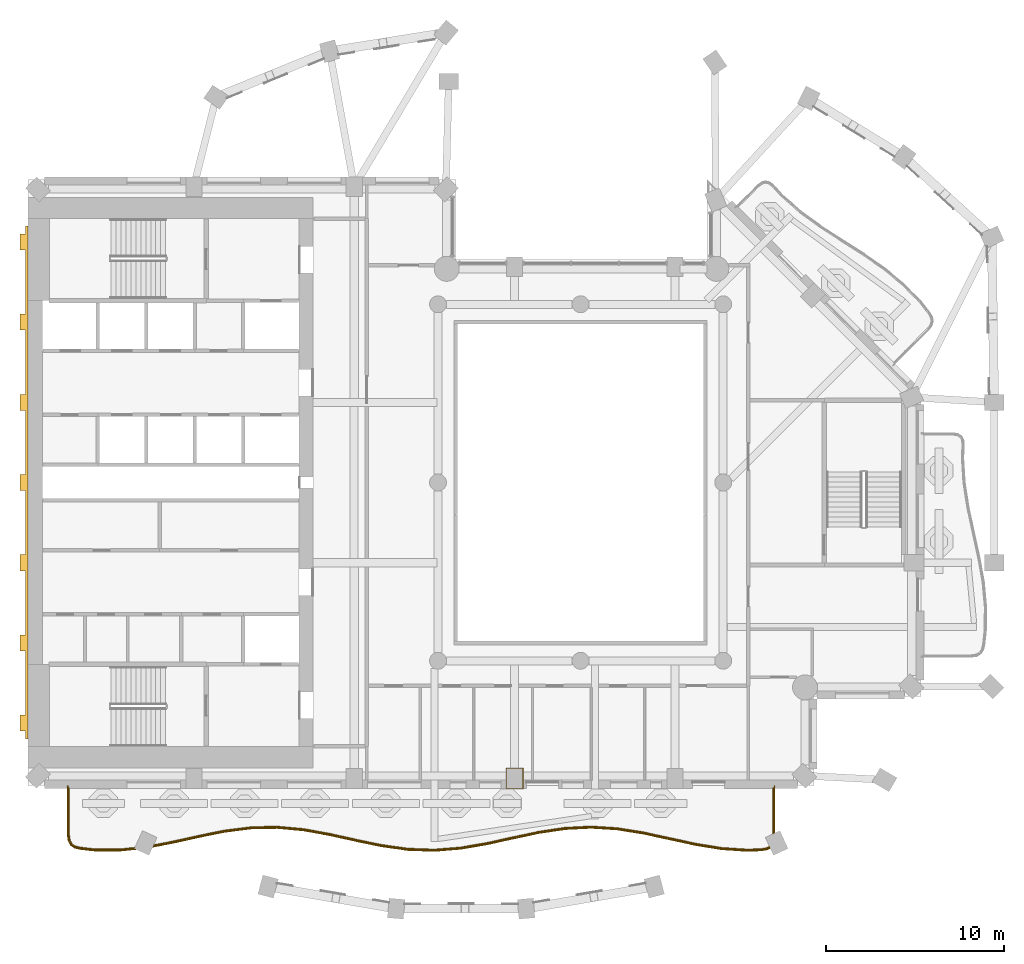
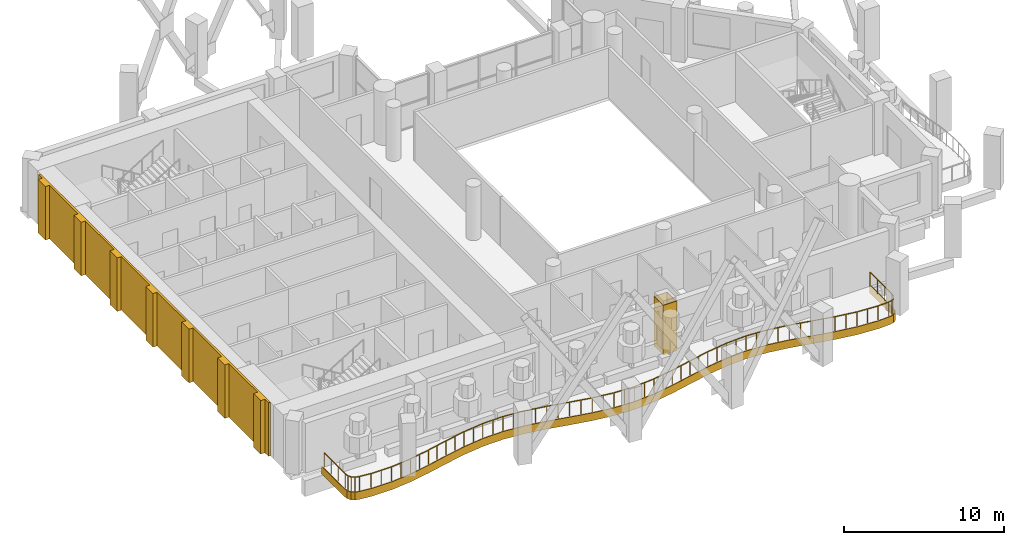
# One storey, part 12 of 16: 3 coverings, 1 railing.
"""IFC4 building model written with IfcOpenShell, lengths in metres."""

from ifc_helpers import new_model, si_unit, direction, frame, origin, origin_2d, place, context, subcontext, project, spatial, polyline, rectangle, outline, extrude, material, layer, layer_set, type_object, element, save


model = new_model("IFC4")

# Units and contexts
model_context = context("Model", 3, precision=1e-05, world=origin(), true_north=direction((0.0, 1.0)))
body_context = subcontext(model_context, "Body", "Model", "MODEL_VIEW")
ifc_project = project(units=[si_unit("LENGTHUNIT", "METRE"), si_unit("AREAUNIT", "SQUARE_METRE"), si_unit("VOLUMEUNIT", "CUBIC_METRE"), si_unit("PLANEANGLEUNIT", "RADIAN"), si_unit("MASSUNIT", "GRAM", prefix="KILO")], contexts=[model_context])

# Site, building, storey
site_placement = place(None, origin())
site = spatial("IfcSite", under=ifc_project, at=site_placement, CompositionType="ELEMENT")
building_placement = place(site_placement, origin())
building = spatial("IfcBuilding", under=site, at=building_placement, Name="Cypress Arch Tower", CompositionType="ELEMENT")
storey_placement = place(building_placement, frame((0.0, 0.0, 168.699951171875)))
storey = spatial("IfcBuildingStorey", under=building, at=storey_placement, Name="L36", CompositionType="ELEMENT", Elevation=168.699951171875)

# Covering
ifc_material_1 = material(Name="White powder-coated aluminium fascia", Category="aluminium")
ifc_layer_1 = layer(ifc_material_1, 0.050048828125)
ifc_layer_set_1 = layer_set([ifc_layer_1], Name="Balcony fascia BF50")
covering_type_1 = type_object("IfcCoveringType", Name="Balcony fascia BF50", PredefinedType="CLADDING", material=ifc_layer_set_1)
covering_1_placement = place(storey_placement, frame((0.0, 0.0, -0.599853515625)))
element("IfcCovering", 1, at=covering_1_placement, inside=storey, type_object=covering_type_1, Name="Balcony fascia L36-B01", PredefinedType="CLADDING", context=body_context, shape_type="SweptSolid", body=[
    extrude(outline(polyline([(11.89990234375, -19.9189453125), (11.85693359375, -20.22314453125), (11.72216796875, -20.454345703125), (11.497802734375, -20.599853515625), (11.19580078125, -20.657470703125), (10.3828125, -20.696533203125), (8.9111328125, -20.599853515625), (7.440673828125, -20.361328125), (5.97265625, -20.0419921875), (4.50732421875, -19.724365234375), (3.04443359375, -19.489501953125), (1.5830078125, -19.397216796875), (0.12158203125, -19.47119140625), (-1.341064453125, -19.692138671875), (-2.80615234375, -20.004150390625), (-4.273681640625, -20.32763671875), (-5.743896484375, -20.5791015625), (-7.215576171875, -20.69384765625), (-8.687744140625, -20.64208984375), (-10.158447265625, -20.4375), (-11.627197265625, -20.132568359375), (-13.09326171875, -19.805908203125), (-14.556640625, -19.54150390625), (-16.0185546875, -19.40625), (-17.479736328125, -19.434814453125), (-18.94189453125, -19.619873046875), (-20.40625, -19.91455078125), (-21.873291015625, -20.2431640625), (-23.3427734375, -20.52197265625), (-24.814208984375, -20.678466796875), (-26.286376953125, -20.6728515625), (-27.09912109375, -20.58056640625), (-27.400390625, -20.503173828125), (-27.623291015625, -20.34326171875), (-27.757080078125, -20.103759765625), (-27.800048828125, -19.7958984375), (-27.800048828125, -17.0009765625), (-27.75, -17.0009765625), (-27.75, -19.79248046875), (-27.708740234375, -20.087646484375), (-27.5849609375, -20.309326171875), (-27.378662109375, -20.45703125), (-27.090087890625, -20.531494140625), (-26.283447265625, -20.622802734375), (-24.816650390625, -20.628662109375), (-23.35009765625, -20.472412109375), (-21.88330078125, -20.1943359375), (-20.416748046875, -19.865478515625), (-18.949951171875, -19.570556640625), (-17.4833984375, -19.384765625), (-16.0166015625, -19.356201171875), (-14.550048828125, -19.491943359375), (-13.083251953125, -19.757080078125), (-11.61669921875, -20.083740234375), (-10.14990234375, -20.38818359375), (-8.683349609375, -20.59228515625), (-7.216552734375, -20.643798828125), (-5.75, -20.529296875), (-4.283447265625, -20.278564453125), (-2.816650390625, -19.955322265625), (-1.35009765625, -19.64306640625), (0.11669921875, -19.42138671875), (1.583251953125, -19.34716796875), (3.050048828125, -19.439697265625), (4.5166015625, -19.67529296875), (5.9833984375, -19.9931640625), (7.449951171875, -20.31201171875), (8.916748046875, -20.55029296875), (10.38330078125, -20.646484375), (11.18994140625, -20.607666015625), (11.478759765625, -20.552734375), (11.68505859375, -20.4189453125), (11.808837890625, -20.20654296875), (11.85009765625, -19.915283203125), (11.85009765625, -17.0009765625), (11.89990234375, -17.0009765625), (11.89990234375, -19.9189453125)])), origin(), (0.0, 0.0, 1.0), 0.599853515625),
])

# Railing
ifc_material_2 = material(Name="Powder-coated steel posts and rods, 100 mm clear between rods", Category="steel")
railing_type = type_object("IfcRailingType", Name="Balcony guard GR1100", PredefinedType="GUARDRAIL", material=ifc_material_2)
railing_placement = place(storey_placement, frame((11.800048828125, -17.14990234375, 0.0)))
element("IfcRailing", 2, at=railing_placement, inside=storey, type_object=railing_type, Name="Balcony guard L36-B01", PredefinedType="GUARDRAIL", context=body_context, shape_type="SweptSolid", body=[
    extrude(rectangle(XDim=0.050048828125, YDim=0.050048828125, at=origin_2d()), frame((0.0, 0.0, 1.0751953125), z_axis=(0.0, -1.0, 0.0), x_axis=(1.0, 0.0, 0.0)), (0.0, 0.0, 1.0), 2.761962890625),
    extrude(rectangle(XDim=0.050048828125, YDim=0.050048828125, at=origin_2d()), frame((0.0, -2.761962890625, 1.0751953125), z_axis=(-0.140934159302, -0.9900189709, 0.0), x_axis=(0.9900189709, -0.140934159302, 0.0)), (0.0, 0.0, 1.0), 0.280517578125),
    extrude(rectangle(XDim=0.050048828125, YDim=0.050048828125, at=origin_2d()), frame((-0.03955078125, -3.039794921875, 1.0751953125), z_axis=(-0.503396718103, -0.864055405748, 0.0), x_axis=(0.864055405748, -0.503396718103, 0.0)), (0.0, 0.0, 1.0), 0.22412109375),
    extrude(rectangle(XDim=0.050048828125, YDim=0.050048828125, at=origin_2d()), frame((-0.15234375, -3.2333984375, 1.0751953125), z_axis=(-0.838692381994, -0.544605442853, 0.0), x_axis=(0.544605442853, -0.838692381994, 0.0)), (0.0, 0.0, 1.0), 0.22412109375),
    extrude(rectangle(XDim=0.050048828125, YDim=0.050048828125, at=origin_2d()), frame((-0.34033203125, -3.35546875, 1.0751953125), z_axis=(-0.982185950292, -0.187911572421, 0.0), x_axis=(0.187911572421, -0.982185950292, 0.0)), (0.0, 0.0, 1.0), 0.280517578125),
    extrude(rectangle(XDim=0.050048828125, YDim=0.050048828125, at=origin_2d()), frame((-0.615966796875, -3.408203125, 1.0751953125), z_axis=(-0.998855001251, -0.047840218181, 0.0), x_axis=(0.047840218181, -0.998855001251, 0.0)), (0.0, 0.0, 1.0), 0.80126953125),
    extrude(rectangle(XDim=0.050048828125, YDim=0.050048828125, at=origin_2d()), frame((-1.416259765625, -3.446533203125, 1.0751953125), z_axis=(-0.99785177148, 0.065512152722, 0.0), x_axis=(-0.065512152722, -0.99785177148, 0.0)), (0.0, 0.0, 1.0), 1.464599609375),
    extrude(rectangle(XDim=0.050048828125, YDim=0.050048828125, at=origin_2d()), frame((-2.877685546875, -3.3505859375, 1.0751953125), z_axis=(-0.987075215423, 0.16025766471, 0.0), x_axis=(-0.16025766471, -0.987075215423, 0.0)), (0.0, 0.0, 1.0), 1.482177734375),
    extrude(rectangle(XDim=0.050048828125, YDim=0.050048828125, at=origin_2d()), frame((-4.3408203125, -3.113037109375, 1.0751953125), z_axis=(-0.977169016442, 0.212463439929, 0.0), x_axis=(-0.212463439929, -0.977169016442, 0.0)), (0.0, 0.0, 1.0), 1.49951171875),
    extrude(rectangle(XDim=0.050048828125, YDim=0.050048828125, at=origin_2d()), frame((-5.80615234375, -2.79443359375, 1.0751953125), z_axis=(-0.977283320767, 0.211937044783, 0.0), x_axis=(-0.211937044783, -0.977283320767, 0.0)), (0.0, 0.0, 1.0), 1.502197265625),
    extrude(rectangle(XDim=0.050048828125, YDim=0.050048828125, at=origin_2d()), frame((-7.274169921875, -2.47607421875, 1.0751953125), z_axis=(-0.987377116296, 0.158386963524, 0.0), x_axis=(-0.158386963524, -0.987377116296, 0.0)), (0.0, 0.0, 1.0), 1.489013671875),
    extrude(rectangle(XDim=0.050048828125, YDim=0.050048828125, at=origin_2d()), frame((-8.744384765625, -2.240234375, 1.0751953125), z_axis=(-0.998009184655, 0.063068750929, 0.0), x_axis=(-0.063068750929, -0.998009184655, 0.0)), (0.0, 0.0, 1.0), 1.474853515625),
    extrude(rectangle(XDim=0.050048828125, YDim=0.050048828125, at=origin_2d()), frame((-10.21630859375, -2.147216796875, 1.0751953125), z_axis=(-0.99872325926, -0.05051585308, 0.0), x_axis=(0.05051585308, -0.99872325926, 0.0)), (0.0, 0.0, 1.0), 1.47412109375),
    extrude(rectangle(XDim=0.050048828125, YDim=0.050048828125, at=origin_2d()), frame((-11.6884765625, -2.2216796875, 1.0751953125), z_axis=(-0.988778048864, -0.149392001406, 0.0), x_axis=(0.149392001406, -0.988778048864, 0.0)), (0.0, 0.0, 1.0), 1.487060546875),
    extrude(rectangle(XDim=0.050048828125, YDim=0.050048828125, at=origin_2d()), frame((-13.158935546875, -2.44384765625, 1.0751953125), z_axis=(-0.978058713578, -0.208329433338, 0.0), x_axis=(0.208329433338, -0.978058713578, 0.0)), (0.0, 0.0, 1.0), 1.501220703125),
    extrude(rectangle(XDim=0.050048828125, YDim=0.050048828125, at=origin_2d()), frame((-14.627197265625, -2.756591796875, 1.0751953125), z_axis=(-0.976572051892, -0.215190676991, 0.0), x_axis=(0.215190676991, -0.976572051892, 0.0)), (0.0, 0.0, 1.0), 1.5009765625),
    extrude(rectangle(XDim=0.050048828125, YDim=0.050048828125, at=origin_2d()), frame((-16.093017578125, -3.07958984375, 1.0751953125), z_axis=(-0.985687136457, -0.16858490153, 0.0), x_axis=(0.16858490153, -0.985687136457, 0.0)), (0.0, 0.0, 1.0), 1.484375),
    extrude(rectangle(XDim=0.050048828125, YDim=0.050048828125, at=origin_2d()), frame((-17.55615234375, -3.329833984375, 1.0751953125), z_axis=(-0.996971629898, -0.07776611845, 0.0), x_axis=(0.07776611845, -0.996971629898, 0.0)), (0.0, 0.0, 1.0), 1.466064453125),
    extrude(rectangle(XDim=0.050048828125, YDim=0.050048828125, at=origin_2d()), frame((-19.017822265625, -3.44384765625, 1.0751953125), z_axis=(-0.999384993792, 0.035066140133, 0.0), x_axis=(-0.035066140133, -0.999384993792, 0.0)), (0.0, 0.0, 1.0), 1.462158203125),
    extrude(rectangle(XDim=0.050048828125, YDim=0.050048828125, at=origin_2d()), frame((-20.47900390625, -3.392578125, 1.0751953125), z_axis=(-0.990445904056, 0.137901817025, 0.0), x_axis=(-0.137901817025, -0.990445904056, 0.0)), (0.0, 0.0, 1.0), 1.4765625),
    extrude(rectangle(XDim=0.050048828125, YDim=0.050048828125, at=origin_2d()), frame((-21.94140625, -3.18896484375, 1.0751953125), z_axis=(-0.979143026375, 0.203172177973, 0.0), x_axis=(-0.203172177973, -0.979143026375, 0.0)), (0.0, 0.0, 1.0), 1.49609375),
    extrude(rectangle(XDim=0.050048828125, YDim=0.050048828125, at=origin_2d()), frame((-23.40625, -2.885009765625, 1.0751953125), z_axis=(-0.976068452766, 0.217463503869, 0.0), x_axis=(-0.217463503869, -0.976068452766, 0.0)), (0.0, 0.0, 1.0), 1.503173828125),
    extrude(rectangle(XDim=0.050048828125, YDim=0.050048828125, at=origin_2d()), frame((-24.87353515625, -2.55810546875, 1.0751953125), z_axis=(-0.984029055763, 0.178007913908, 0.0), x_axis=(-0.178007913908, -0.984029055763, 0.0)), (0.0, 0.0, 1.0), 1.49365234375),
    extrude(rectangle(XDim=0.050048828125, YDim=0.050048828125, at=origin_2d()), frame((-26.34326171875, -2.292236328125, 1.0751953125), z_axis=(-0.995758068243, 0.092010159922, 0.0), x_axis=(-0.092010159922, -0.995758068243, 0.0)), (0.0, 0.0, 1.0), 1.47802734375),
    extrude(rectangle(XDim=0.050048828125, YDim=0.050048828125, at=origin_2d()), frame((-27.81494140625, -2.15625, 1.0751953125), z_axis=(-0.999808585565, -0.019565076799, 0.0), x_axis=(0.019565076799, -0.999808585565, 0.0)), (0.0, 0.0, 1.0), 1.472412109375),
    extrude(rectangle(XDim=0.050048828125, YDim=0.050048828125, at=origin_2d()), frame((-29.287109375, -2.18505859375, 1.0751953125), z_axis=(-0.992076459913, -0.125635574923, 0.0), x_axis=(0.125635574923, -0.992076459913, 0.0)), (0.0, 0.0, 1.0), 1.482666015625),
    extrude(rectangle(XDim=0.050048828125, YDim=0.050048828125, at=origin_2d()), frame((-30.758056640625, -2.371337890625, 1.0751953125), z_axis=(-0.980373329792, -0.197150029757, 0.0), x_axis=(0.197150029757, -0.980373329792, 0.0)), (0.0, 0.0, 1.0), 1.498291015625),
    extrude(rectangle(XDim=0.050048828125, YDim=0.050048828125, at=origin_2d()), frame((-32.22705078125, -2.666748046875, 1.0751953125), z_axis=(-0.975803322857, -0.218650120287, 0.0), x_axis=(0.218650120287, -0.975803322857, 0.0)), (0.0, 0.0, 1.0), 1.5029296875),
    extrude(rectangle(XDim=0.050048828125, YDim=0.050048828125, at=origin_2d()), frame((-33.693603515625, -2.995361328125, 1.0751953125), z_axis=(-0.982491695912, -0.186306380629, 0.0), x_axis=(0.186306380629, -0.982491695912, 0.0)), (0.0, 0.0, 1.0), 1.489990234375),
    extrude(rectangle(XDim=0.050048828125, YDim=0.050048828125, at=origin_2d()), frame((-35.157470703125, -3.27294921875, 1.0751953125), z_axis=(-0.994371803517, -0.105946761965, 0.0), x_axis=(0.105946761965, -0.994371803517, 0.0)), (0.0, 0.0, 1.0), 1.47021484375),
    extrude(rectangle(XDim=0.050048828125, YDim=0.050048828125, at=origin_2d()), frame((-36.619384765625, -3.4287109375, 1.0751953125), z_axis=(-0.999991959946, 0.004009992822, 0.0), x_axis=(-0.004009992822, -0.999991959946, 0.0)), (0.0, 0.0, 1.0), 1.461181640625),
    extrude(rectangle(XDim=0.050048828125, YDim=0.050048828125, at=origin_2d()), frame((-38.08056640625, -3.4228515625, 1.0751953125), z_axis=(-0.993656164351, 0.112460780041, 0.0), x_axis=(-0.112460780041, -0.993656164351, 0.0)), (0.0, 0.0, 1.0), 0.805419921875),
    extrude(rectangle(XDim=0.050048828125, YDim=0.050048828125, at=origin_2d()), frame((-38.880859375, -3.332275390625, 1.0751953125), z_axis=(-0.968510618147, 0.248972252545, 0.0), x_axis=(-0.248972252545, -0.968510618147, 0.0)), (0.0, 0.0, 1.0), 0.285400390625),
    extrude(rectangle(XDim=0.050048828125, YDim=0.050048828125, at=origin_2d()), frame((-39.1572265625, -3.26123046875, 1.0751953125), z_axis=(-0.812742831661, 0.582622596184, 0.0), x_axis=(-0.582622596184, -0.812742831661, 0.0)), (0.0, 0.0, 1.0), 0.2333984375),
    extrude(rectangle(XDim=0.050048828125, YDim=0.050048828125, at=origin_2d()), frame((-39.346923828125, -3.125244140625, 1.0751953125), z_axis=(-0.487774437128, 0.872969700783, 0.0), x_axis=(-0.872969700783, -0.487774437128, 0.0)), (0.0, 0.0, 1.0), 0.233154296875),
    extrude(rectangle(XDim=0.050048828125, YDim=0.050048828125, at=origin_2d()), frame((-39.460693359375, -2.921630859375, 1.0751953125), z_axis=(-0.137708227141, 0.990472838688, 0.0), x_axis=(-0.990472838688, -0.137708227141, 0.0)), (0.0, 0.0, 1.0), 0.285400390625),
    extrude(rectangle(XDim=0.050048828125, YDim=0.050048828125, at=origin_2d()), frame((-39.5, -2.638916015625, 1.0751953125), z_axis=(0.0, 1.0, 0.0), x_axis=(-1.0, 0.0, 0.0)), (0.0, 0.0, 1.0), 2.638916015625),
    extrude(rectangle(XDim=0.0400390625, YDim=0.0400390625, at=origin_2d()), origin(), (0.0, 0.0, 1.0), 1.050048828125),
    extrude(rectangle(XDim=0.0400390625, YDim=0.0400390625, at=origin_2d()), frame((0.0, -0.920654296875, 0.0)), (0.0, 0.0, 1.0), 1.050048828125),
    extrude(rectangle(XDim=0.0400390625, YDim=0.0400390625, at=origin_2d()), frame((0.0, -1.84130859375, 0.0)), (0.0, 0.0, 1.0), 1.050048828125),
    extrude(rectangle(XDim=0.0400390625, YDim=0.0400390625, at=origin_2d()), frame((0.0, -2.761962890625, 0.0)), (0.0, 0.0, 1.0), 1.050048828125),
    extrude(rectangle(XDim=0.0400390625, YDim=0.0400390625, at=origin_2d()), frame((-0.03955078125, -3.039794921875, 0.0)), (0.0, 0.0, 1.0), 1.050048828125),
    extrude(rectangle(XDim=0.0400390625, YDim=0.0400390625, at=origin_2d()), frame((-0.15234375, -3.2333984375, 0.0)), (0.0, 0.0, 1.0), 1.050048828125),
    extrude(rectangle(XDim=0.0400390625, YDim=0.0400390625, at=origin_2d()), frame((-0.34033203125, -3.35546875, 0.0)), (0.0, 0.0, 1.0), 1.050048828125),
    extrude(rectangle(XDim=0.0400390625, YDim=0.0400390625, at=origin_2d()), frame((-0.615966796875, -3.408203125, 0.0)), (0.0, 0.0, 1.0), 1.050048828125),
    extrude(rectangle(XDim=0.0400390625, YDim=0.0400390625, at=origin_2d()), frame((-1.416259765625, -3.446533203125, 0.0)), (0.0, 0.0, 1.0), 1.050048828125),
    extrude(rectangle(XDim=0.0400390625, YDim=0.0400390625, at=origin_2d()), frame((-2.14697265625, -3.3984375, 0.0)), (0.0, 0.0, 1.0), 1.050048828125),
    extrude(rectangle(XDim=0.0400390625, YDim=0.0400390625, at=origin_2d()), frame((-2.877685546875, -3.3505859375, 0.0)), (0.0, 0.0, 1.0), 1.050048828125),
    extrude(rectangle(XDim=0.0400390625, YDim=0.0400390625, at=origin_2d()), frame((-3.609375, -3.23193359375, 0.0)), (0.0, 0.0, 1.0), 1.050048828125),
    extrude(rectangle(XDim=0.0400390625, YDim=0.0400390625, at=origin_2d()), frame((-4.3408203125, -3.113037109375, 0.0)), (0.0, 0.0, 1.0), 1.050048828125),
    extrude(rectangle(XDim=0.0400390625, YDim=0.0400390625, at=origin_2d()), frame((-5.073486328125, -2.95361328125, 0.0)), (0.0, 0.0, 1.0), 1.050048828125),
    extrude(rectangle(XDim=0.0400390625, YDim=0.0400390625, at=origin_2d()), frame((-5.80615234375, -2.79443359375, 0.0)), (0.0, 0.0, 1.0), 1.050048828125),
    extrude(rectangle(XDim=0.0400390625, YDim=0.0400390625, at=origin_2d()), frame((-6.5400390625, -2.63525390625, 0.0)), (0.0, 0.0, 1.0), 1.050048828125),
    extrude(rectangle(XDim=0.0400390625, YDim=0.0400390625, at=origin_2d()), frame((-7.274169921875, -2.47607421875, 0.0)), (0.0, 0.0, 1.0), 1.050048828125),
    extrude(rectangle(XDim=0.0400390625, YDim=0.0400390625, at=origin_2d()), frame((-8.00927734375, -2.358154296875, 0.0)), (0.0, 0.0, 1.0), 1.050048828125),
    extrude(rectangle(XDim=0.0400390625, YDim=0.0400390625, at=origin_2d()), frame((-8.744384765625, -2.240234375, 0.0)), (0.0, 0.0, 1.0), 1.050048828125),
    extrude(rectangle(XDim=0.0400390625, YDim=0.0400390625, at=origin_2d()), frame((-9.48046875, -2.19384765625, 0.0)), (0.0, 0.0, 1.0), 1.050048828125),
    extrude(rectangle(XDim=0.0400390625, YDim=0.0400390625, at=origin_2d()), frame((-10.21630859375, -2.147216796875, 0.0)), (0.0, 0.0, 1.0), 1.050048828125),
    extrude(rectangle(XDim=0.0400390625, YDim=0.0400390625, at=origin_2d()), frame((-10.952392578125, -2.1845703125, 0.0)), (0.0, 0.0, 1.0), 1.050048828125),
    extrude(rectangle(XDim=0.0400390625, YDim=0.0400390625, at=origin_2d()), frame((-11.6884765625, -2.2216796875, 0.0)), (0.0, 0.0, 1.0), 1.050048828125),
    extrude(rectangle(XDim=0.0400390625, YDim=0.0400390625, at=origin_2d()), frame((-12.423828125, -2.332763671875, 0.0)), (0.0, 0.0, 1.0), 1.050048828125),
    extrude(rectangle(XDim=0.0400390625, YDim=0.0400390625, at=origin_2d()), frame((-13.158935546875, -2.44384765625, 0.0)), (0.0, 0.0, 1.0), 1.050048828125),
    extrude(rectangle(XDim=0.0400390625, YDim=0.0400390625, at=origin_2d()), frame((-13.89306640625, -2.60009765625, 0.0)), (0.0, 0.0, 1.0), 1.050048828125),
    extrude(rectangle(XDim=0.0400390625, YDim=0.0400390625, at=origin_2d()), frame((-14.627197265625, -2.756591796875, 0.0)), (0.0, 0.0, 1.0), 1.050048828125),
    extrude(rectangle(XDim=0.0400390625, YDim=0.0400390625, at=origin_2d()), frame((-15.360107421875, -2.91796875, 0.0)), (0.0, 0.0, 1.0), 1.050048828125),
    extrude(rectangle(XDim=0.0400390625, YDim=0.0400390625, at=origin_2d()), frame((-16.093017578125, -3.07958984375, 0.0)), (0.0, 0.0, 1.0), 1.050048828125),
    extrude(rectangle(XDim=0.0400390625, YDim=0.0400390625, at=origin_2d()), frame((-16.82470703125, -3.20458984375, 0.0)), (0.0, 0.0, 1.0), 1.050048828125),
    extrude(rectangle(XDim=0.0400390625, YDim=0.0400390625, at=origin_2d()), frame((-17.55615234375, -3.329833984375, 0.0)), (0.0, 0.0, 1.0), 1.050048828125),
    extrude(rectangle(XDim=0.0400390625, YDim=0.0400390625, at=origin_2d()), frame((-18.287109375, -3.38671875, 0.0)), (0.0, 0.0, 1.0), 1.050048828125),
    extrude(rectangle(XDim=0.0400390625, YDim=0.0400390625, at=origin_2d()), frame((-19.017822265625, -3.44384765625, 0.0)), (0.0, 0.0, 1.0), 1.050048828125),
    extrude(rectangle(XDim=0.0400390625, YDim=0.0400390625, at=origin_2d()), frame((-19.74853515625, -3.418212890625, 0.0)), (0.0, 0.0, 1.0), 1.050048828125),
    extrude(rectangle(XDim=0.0400390625, YDim=0.0400390625, at=origin_2d()), frame((-20.47900390625, -3.392578125, 0.0)), (0.0, 0.0, 1.0), 1.050048828125),
    extrude(rectangle(XDim=0.0400390625, YDim=0.0400390625, at=origin_2d()), frame((-21.210205078125, -3.290771484375, 0.0)), (0.0, 0.0, 1.0), 1.050048828125),
    extrude(rectangle(XDim=0.0400390625, YDim=0.0400390625, at=origin_2d()), frame((-21.94140625, -3.18896484375, 0.0)), (0.0, 0.0, 1.0), 1.050048828125),
    extrude(rectangle(XDim=0.0400390625, YDim=0.0400390625, at=origin_2d()), frame((-22.673828125, -3.037109375, 0.0)), (0.0, 0.0, 1.0), 1.050048828125),
    extrude(rectangle(XDim=0.0400390625, YDim=0.0400390625, at=origin_2d()), frame((-23.40625, -2.885009765625, 0.0)), (0.0, 0.0, 1.0), 1.050048828125),
    extrude(rectangle(XDim=0.0400390625, YDim=0.0400390625, at=origin_2d()), frame((-24.139892578125, -2.7216796875, 0.0)), (0.0, 0.0, 1.0), 1.050048828125),
    extrude(rectangle(XDim=0.0400390625, YDim=0.0400390625, at=origin_2d()), frame((-24.87353515625, -2.55810546875, 0.0)), (0.0, 0.0, 1.0), 1.050048828125),
    extrude(rectangle(XDim=0.0400390625, YDim=0.0400390625, at=origin_2d()), frame((-25.6083984375, -2.42529296875, 0.0)), (0.0, 0.0, 1.0), 1.050048828125),
    extrude(rectangle(XDim=0.0400390625, YDim=0.0400390625, at=origin_2d()), frame((-26.34326171875, -2.292236328125, 0.0)), (0.0, 0.0, 1.0), 1.050048828125),
    extrude(rectangle(XDim=0.0400390625, YDim=0.0400390625, at=origin_2d()), frame((-27.0791015625, -2.22412109375, 0.0)), (0.0, 0.0, 1.0), 1.050048828125),
    extrude(rectangle(XDim=0.0400390625, YDim=0.0400390625, at=origin_2d()), frame((-27.81494140625, -2.15625, 0.0)), (0.0, 0.0, 1.0), 1.050048828125),
    extrude(rectangle(XDim=0.0400390625, YDim=0.0400390625, at=origin_2d()), frame((-28.551025390625, -2.170654296875, 0.0)), (0.0, 0.0, 1.0), 1.050048828125),
    extrude(rectangle(XDim=0.0400390625, YDim=0.0400390625, at=origin_2d()), frame((-29.287109375, -2.18505859375, 0.0)), (0.0, 0.0, 1.0), 1.050048828125),
    extrude(rectangle(XDim=0.0400390625, YDim=0.0400390625, at=origin_2d()), frame((-30.0224609375, -2.2783203125, 0.0)), (0.0, 0.0, 1.0), 1.050048828125),
    extrude(rectangle(XDim=0.0400390625, YDim=0.0400390625, at=origin_2d()), frame((-30.758056640625, -2.371337890625, 0.0)), (0.0, 0.0, 1.0), 1.050048828125),
    extrude(rectangle(XDim=0.0400390625, YDim=0.0400390625, at=origin_2d()), frame((-31.49267578125, -2.51904296875, 0.0)), (0.0, 0.0, 1.0), 1.050048828125),
    extrude(rectangle(XDim=0.0400390625, YDim=0.0400390625, at=origin_2d()), frame((-32.22705078125, -2.666748046875, 0.0)), (0.0, 0.0, 1.0), 1.050048828125),
    extrude(rectangle(XDim=0.0400390625, YDim=0.0400390625, at=origin_2d()), frame((-32.96044921875, -2.8310546875, 0.0)), (0.0, 0.0, 1.0), 1.050048828125),
    extrude(rectangle(XDim=0.0400390625, YDim=0.0400390625, at=origin_2d()), frame((-33.693603515625, -2.995361328125, 0.0)), (0.0, 0.0, 1.0), 1.050048828125),
    extrude(rectangle(XDim=0.0400390625, YDim=0.0400390625, at=origin_2d()), frame((-34.425537109375, -3.13427734375, 0.0)), (0.0, 0.0, 1.0), 1.050048828125),
    extrude(rectangle(XDim=0.0400390625, YDim=0.0400390625, at=origin_2d()), frame((-35.157470703125, -3.27294921875, 0.0)), (0.0, 0.0, 1.0), 1.050048828125),
    extrude(rectangle(XDim=0.0400390625, YDim=0.0400390625, at=origin_2d()), frame((-35.888427734375, -3.350830078125, 0.0)), (0.0, 0.0, 1.0), 1.050048828125),
    extrude(rectangle(XDim=0.0400390625, YDim=0.0400390625, at=origin_2d()), frame((-36.619384765625, -3.4287109375, 0.0)), (0.0, 0.0, 1.0), 1.050048828125),
    extrude(rectangle(XDim=0.0400390625, YDim=0.0400390625, at=origin_2d()), frame((-37.35009765625, -3.42578125, 0.0)), (0.0, 0.0, 1.0), 1.050048828125),
    extrude(rectangle(XDim=0.0400390625, YDim=0.0400390625, at=origin_2d()), frame((-38.08056640625, -3.4228515625, 0.0)), (0.0, 0.0, 1.0), 1.050048828125),
    extrude(rectangle(XDim=0.0400390625, YDim=0.0400390625, at=origin_2d()), frame((-38.880859375, -3.332275390625, 0.0)), (0.0, 0.0, 1.0), 1.050048828125),
    extrude(rectangle(XDim=0.0400390625, YDim=0.0400390625, at=origin_2d()), frame((-39.1572265625, -3.26123046875, 0.0)), (0.0, 0.0, 1.0), 1.050048828125),
    extrude(rectangle(XDim=0.0400390625, YDim=0.0400390625, at=origin_2d()), frame((-39.346923828125, -3.125244140625, 0.0)), (0.0, 0.0, 1.0), 1.050048828125),
    extrude(rectangle(XDim=0.0400390625, YDim=0.0400390625, at=origin_2d()), frame((-39.460693359375, -2.921630859375, 0.0)), (0.0, 0.0, 1.0), 1.050048828125),
    extrude(rectangle(XDim=0.0400390625, YDim=0.0400390625, at=origin_2d()), frame((-39.5, -2.638916015625, 0.0)), (0.0, 0.0, 1.0), 1.050048828125),
    extrude(rectangle(XDim=0.0400390625, YDim=0.0400390625, at=origin_2d()), frame((-39.5, -1.75927734375, 0.0)), (0.0, 0.0, 1.0), 1.050048828125),
    extrude(rectangle(XDim=0.0400390625, YDim=0.0400390625, at=origin_2d()), frame((-39.5, -0.879638671875, 0.0)), (0.0, 0.0, 1.0), 1.050048828125),
    extrude(rectangle(XDim=0.0400390625, YDim=0.0400390625, at=origin_2d()), frame((-39.5, 0.0, 0.0)), (0.0, 0.0, 1.0), 1.050048828125),
])

# Coverings
ifc_material_3 = material(Name="Painted plasterboard column casing")
ifc_layer_2 = layer(ifc_material_3, 0.0400390625)
ifc_layer_set_2 = layer_set([ifc_layer_2], Name="Column casing CK40")
covering_type_2 = type_object("IfcCoveringType", Name="Column casing CK40", PredefinedType="CLADDING", material=ifc_layer_set_2)
covering_2_placement = place(storey_placement, origin())
element("IfcCovering", 3, at=covering_2_placement, inside=storey, type_object=covering_type_2, Name="Column casing L36 CB04", PredefinedType="CLADDING", context=body_context, shape_type="SweptSolid", body=[
    extrude(outline(polyline([(-3.18994140625, -17.18994140625), (-3.18994140625, -16.010009765625), (-2.2099609375, -16.010009765625), (-2.2099609375, -17.18994140625), (-3.18994140625, -17.18994140625)]), holes=[polyline([(-3.14990234375, -17.14990234375), (-2.25, -17.14990234375), (-2.25, -16.050048828125), (-3.14990234375, -16.050048828125), (-3.14990234375, -17.14990234375)])]), origin(), (0.0, 0.0, 1.0), 3.800048828125),
])
ifc_material_4 = material(Name="Brick (red buff blend)", Category="masonry")
ifc_layer_3 = layer(ifc_material_4, 0.449951171875)
ifc_layer_set_3 = layer_set([ifc_layer_3], Name="West face brick piers WP450")
covering_type_3 = type_object("IfcCoveringType", Name="West face brick piers WP450", PredefinedType="CLADDING", material=ifc_layer_set_3)
covering_3_placement = place(storey_placement, origin())
element("IfcCovering", 4, at=covering_3_placement, inside=storey, type_object=covering_type_3, Name="West face brick piers L36", PredefinedType="CLADDING", context=body_context, shape_type="SweptSolid", body=[
    extrude(outline(polyline([(-30.14990234375, -13.050048828125), (-30.14990234375, -9.449951171875), (-30.449951171875, -9.449951171875), (-30.449951171875, -8.550048828125), (-30.14990234375, -8.550048828125), (-30.14990234375, -4.949951171875), (-30.449951171875, -4.949951171875), (-30.449951171875, -4.050048828125), (-30.14990234375, -4.050048828125), (-30.14990234375, -0.449951171875), (-30.449951171875, -0.449951171875), (-30.449951171875, 0.449951171875), (-30.14990234375, 0.449951171875), (-30.14990234375, 4.050048828125), (-30.449951171875, 4.050048828125), (-30.449951171875, 4.949951171875), (-30.14990234375, 4.949951171875), (-30.14990234375, 8.550048828125), (-30.449951171875, 8.550048828125), (-30.449951171875, 9.449951171875), (-30.14990234375, 9.449951171875), (-30.14990234375, 13.050048828125), (-30.449951171875, 13.050048828125), (-30.449951171875, 13.949951171875), (-30.14990234375, 13.949951171875), (-30.14990234375, 14.39990234375), (-30.0, 14.39990234375), (-30.0, -14.39990234375), (-30.14990234375, -14.39990234375), (-30.14990234375, -13.949951171875), (-30.449951171875, -13.949951171875), (-30.449951171875, -13.050048828125), (-30.14990234375, -13.050048828125)])), origin(), (0.0, 0.0, 1.0), 4.10009765625),
])

save(model, "model.ifc")
